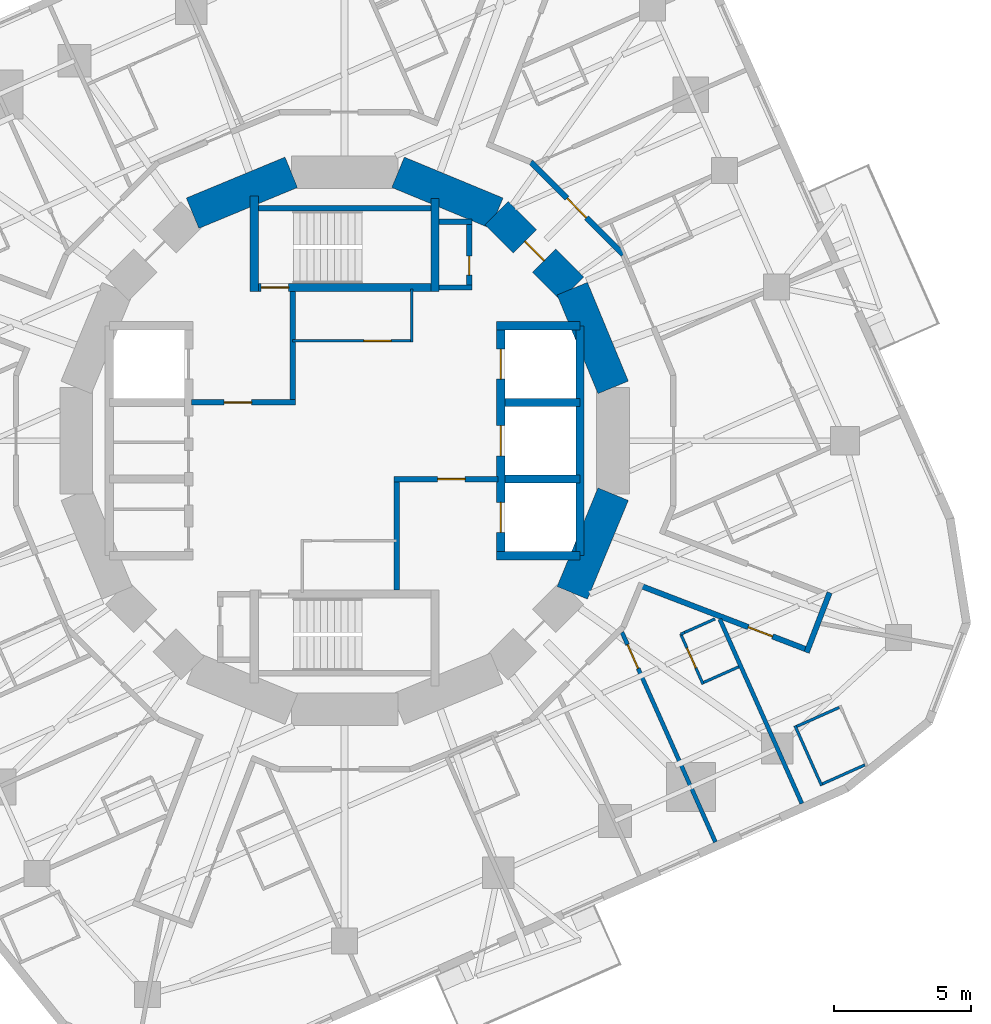
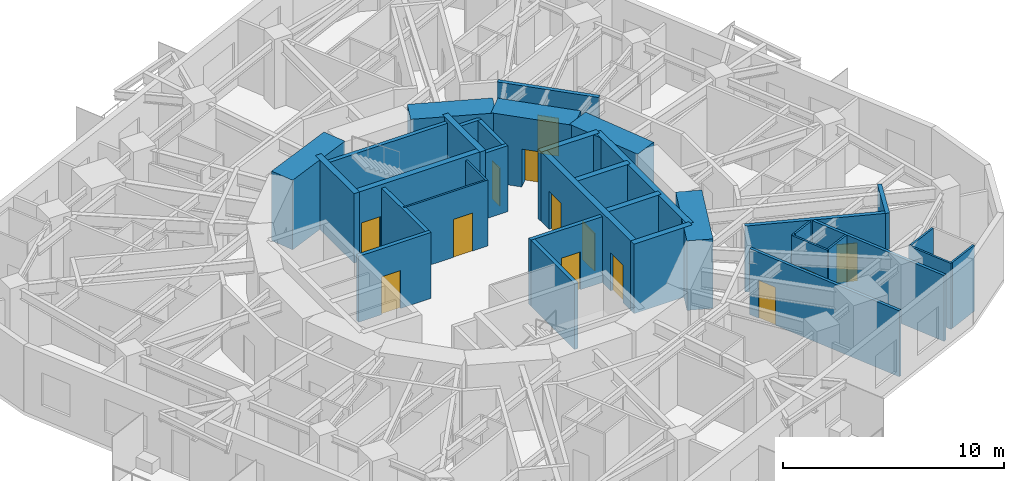
# One storey, part 7 of 12: 36 walls, 13 doors, 13 openings.
"""IFC4 building model written with IfcOpenShell, lengths in metres."""

from ifc_helpers import new_model, si_unit, direction, frame, frame_2d, origin, place, context, subcontext, project, spatial, rectangle, extrude, material, layer, layer_set, type_object, element, fill, save


model = new_model("IFC4")

# Units and contexts
model_context = context("Model", 3, precision=1e-05, world=origin(), true_north=direction((0.0, 1.0)))
body_context = subcontext(model_context, "Body", "Model", "MODEL_VIEW")
ifc_project = project(units=[si_unit("LENGTHUNIT", "METRE"), si_unit("AREAUNIT", "SQUARE_METRE"), si_unit("VOLUMEUNIT", "CUBIC_METRE"), si_unit("PLANEANGLEUNIT", "RADIAN"), si_unit("MASSUNIT", "GRAM", prefix="KILO")], contexts=[model_context])

# Site, building, storey
site_placement = place(None, origin())
site = spatial("IfcSite", under=ifc_project, at=site_placement, CompositionType="ELEMENT")
building_placement = place(site_placement, origin())
building = spatial("IfcBuilding", under=site, at=building_placement, Name="Nakasero Lantern House", CompositionType="ELEMENT")
storey_placement = place(building_placement, frame((0.0, 0.0, 209.39990234375)))
storey = spatial("IfcBuildingStorey", under=building, at=storey_placement, Name="L51", CompositionType="ELEMENT", Elevation=209.39990234375)

# Wall, openings, doors
ifc_material_1 = material(Name="Concrete C50/60", Category="concrete")
ifc_layer_1 = layer(ifc_material_1, 0.300048828125)
ifc_layer_set_1 = layer_set([ifc_layer_1], Name="Core inner wall 300")
wall_type_1 = type_object("IfcWallType", Name="Core inner wall 300", PredefinedType="SHEAR", material=ifc_layer_set_1)
wall_1_placement = place(storey_placement, frame((5.699951171875, -4.199951171875, 0.0), z_axis=(0.0, 0.0, 1.0), x_axis=(0.0, 1.0, 0.0)))
wall_1 = element("IfcWall", 1, at=wall_1_placement, inside=storey, type_object=wall_type_1, Name="Core inner wall L51 LE", PredefinedType="SHEAR", context=body_context, shape_type="SweptSolid", body=[
    extrude(rectangle(XDim=8.39990234375, YDim=0.300048828125, at=frame_2d((4.199951171875, 0.0))), origin(), (0.0, 0.0, 1.0), 3.85009765625),
])
opening_1_placement = place(wall_1_placement, frame((0.85009765625, 0.0, 0.0)))
opening_1 = element("IfcOpeningElement", 2, at=opening_1_placement, cuts=wall_1, Name="Opening LD", PredefinedType="OPENING", context=body_context, shape_type="SweptSolid", body=[
    extrude(rectangle(XDim=1.10009765625, YDim=2.10009765625, at=frame_2d((0.550048828125, 1.050048828125))), frame((0.0, 0.169921875, 0.0), z_axis=(0.0, -1.0, 0.0), x_axis=(1.0, 0.0, 0.0)), (0.0, 0.0, 1.0), 0.340087890625),
])
opening_2_placement = place(wall_1_placement, frame((3.64990234375, 0.0, 0.0)))
opening_2 = element("IfcOpeningElement", 3, at=opening_2_placement, cuts=wall_1, Name="Opening LD", PredefinedType="OPENING", context=body_context, shape_type="SweptSolid", body=[
    extrude(rectangle(XDim=1.10009765625, YDim=2.10009765625, at=frame_2d((0.550048828125, 1.050048828125))), frame((0.0, 0.169921875, 0.0), z_axis=(0.0, -1.0, 0.0), x_axis=(1.0, 0.0, 0.0)), (0.0, 0.0, 1.0), 0.340087890625),
])
opening_3_placement = place(wall_1_placement, frame((6.449951171875, 0.0, 0.0)))
opening_3 = element("IfcOpeningElement", 4, at=opening_3_placement, cuts=wall_1, Name="Opening LD", PredefinedType="OPENING", context=body_context, shape_type="SweptSolid", body=[
    extrude(rectangle(XDim=1.10009765625, YDim=2.10009765625, at=frame_2d((0.550048828125, 1.050048828125))), frame((0.0, 0.169921875, 0.0), z_axis=(0.0, -1.0, 0.0), x_axis=(1.0, 0.0, 0.0)), (0.0, 0.0, 1.0), 0.340087890625),
])
ifc_material_2 = material(Name="Steel S355", Category="steel")
door_type_1 = type_object("IfcDoorType", Name="Lift landing door E120 1100", OperationType="SLIDING_TO_LEFT", PredefinedType="DOOR", material=ifc_material_2)
door_1_placement = place(opening_1_placement, origin())
door_1 = element("IfcDoor", 5, at=door_1_placement, inside=storey, type_object=door_type_1, Name="Lift landing door LE1", OperationType="SLIDING_TO_LEFT", OverallHeight=2.10009765625, OverallWidth=1.10009765625, PredefinedType="DOOR", context=body_context, shape_type="SweptSolid", body=[
    extrude(rectangle(XDim=1.10009765625, YDim=2.10009765625, at=frame_2d((0.550048828125, 1.050048828125))), frame((0.0, 0.02490234375, 0.0), z_axis=(0.0, -1.0, 0.0), x_axis=(1.0, 0.0, 0.0)), (0.0, 0.0, 1.0), 0.050048828125),
])
fill(opening_1, door_1)
door_2_placement = place(opening_2_placement, origin())
door_2 = element("IfcDoor", 6, at=door_2_placement, inside=storey, type_object=door_type_1, Name="Lift landing door LE2", OperationType="SLIDING_TO_LEFT", OverallHeight=2.10009765625, OverallWidth=1.10009765625, PredefinedType="DOOR", context=body_context, shape_type="SweptSolid", body=[
    extrude(rectangle(XDim=1.10009765625, YDim=2.10009765625, at=frame_2d((0.550048828125, 1.050048828125))), frame((0.0, 0.02490234375, 0.0), z_axis=(0.0, -1.0, 0.0), x_axis=(1.0, 0.0, 0.0)), (0.0, 0.0, 1.0), 0.050048828125),
])
fill(opening_2, door_2)
door_3_placement = place(opening_3_placement, origin())
door_3 = element("IfcDoor", 7, at=door_3_placement, inside=storey, type_object=door_type_1, Name="Lift landing door LE3", OperationType="SLIDING_TO_LEFT", OverallHeight=2.10009765625, OverallWidth=1.10009765625, PredefinedType="DOOR", context=body_context, shape_type="SweptSolid", body=[
    extrude(rectangle(XDim=1.10009765625, YDim=2.10009765625, at=frame_2d((0.550048828125, 1.050048828125))), frame((0.0, 0.02490234375, 0.0), z_axis=(0.0, -1.0, 0.0), x_axis=(1.0, 0.0, 0.0)), (0.0, 0.0, 1.0), 0.050048828125),
])
fill(opening_3, door_3)

# Walls
for number, where, z_axis, x_axis, name in (
    (8, (5.550048828125, 4.199951171875, 0.0), (0.0, 0.0, 1.0), (1.0, 0.0, 0.0), "Core inner wall L51 LEN"),
    (9, (5.550048828125, -4.199951171875, 0.0), (0.0, 0.0, 1.0), (1.0, 0.0, 0.0), "Core inner wall L51 LES"),
):
    element("IfcWall", number, at=place(storey_placement, frame(where, z_axis=z_axis, x_axis=x_axis)), inside=storey, type_object=wall_type_1, Name=name, PredefinedType="SHEAR", context=body_context, shape_type="SweptSolid", body=[
        extrude(rectangle(XDim=3.050048828125, YDim=0.300048828125, at=frame_2d((1.52490234375, 0.0))), origin(), (0.0, 0.0, 1.0), 3.85009765625),
    ])
wall_2_placement = place(storey_placement, frame((8.60009765625, -4.199951171875, 0.0), z_axis=(0.0, 0.0, 1.0), x_axis=(0.0, 1.0, 0.0)))
element("IfcWall", 10, at=wall_2_placement, inside=storey, type_object=wall_type_1, Name="Core inner wall L51 LEB", PredefinedType="SHEAR", context=body_context, shape_type="SweptSolid", body=[
    extrude(rectangle(XDim=8.39990234375, YDim=0.300048828125, at=frame_2d((4.199951171875, 0.0))), origin(), (0.0, 0.0, 1.0), 3.85009765625),
])
for number, where, z_axis, x_axis, name in (
    (11, (5.85009765625, -1.39990234375, 0.0), (0.0, 0.0, 1.0), (1.0, 0.0, 0.0), "Core inner wall L51 LE1"),
    (12, (5.85009765625, 1.39990234375, 0.0), (0.0, 0.0, 1.0), (1.0, 0.0, 0.0), "Core inner wall L51 LE2"),
):
    element("IfcWall", number, at=place(storey_placement, frame(where, z_axis=z_axis, x_axis=x_axis)), inside=storey, type_object=wall_type_1, Name=name, PredefinedType="SHEAR", context=body_context, shape_type="SweptSolid", body=[
        extrude(rectangle(XDim=2.75, YDim=0.300048828125, at=frame_2d((1.375, 0.0))), origin(), (0.0, 0.0, 1.0), 3.85009765625),
    ])

# Wall, opening, door
wall_3_placement = place(storey_placement, frame((-3.449951171875, 5.60009765625, 0.0), z_axis=(0.0, 0.0, 1.0), x_axis=(1.0, 0.0, 0.0)))
wall_3 = element("IfcWall", 13, at=wall_3_placement, inside=storey, type_object=wall_type_1, Name="Core inner wall L51 SN", PredefinedType="SHEAR", context=body_context, shape_type="SweptSolid", body=[
    extrude(rectangle(XDim=6.89990234375, YDim=0.300048828125, at=frame_2d((3.449951171875, 0.0))), origin(), (0.0, 0.0, 1.0), 3.85009765625),
])
opening_4_placement = place(wall_3_placement, frame((0.39990234375, 0.0, 0.0)))
opening_4 = element("IfcOpeningElement", 14, at=opening_4_placement, cuts=wall_3, Name="Opening D05", PredefinedType="OPENING", context=body_context, shape_type="SweptSolid", body=[
    extrude(rectangle(XDim=1.0, YDim=2.10009765625, at=frame_2d((0.5, 1.050048828125))), frame((0.0, 0.169921875, 0.0), z_axis=(0.0, -1.0, 0.0), x_axis=(1.0, 0.0, 0.0)), (0.0, 0.0, 1.0), 0.340087890625),
])
ifc_material_3 = material(Name="Timber C24", Category="wood")
door_type_2 = type_object("IfcDoorType", Name="Core door FD60S 1000", OperationType="SINGLE_SWING_LEFT", PredefinedType="DOOR", material=ifc_material_3)
door_4_placement = place(opening_4_placement, origin())
door_4 = element("IfcDoor", 15, at=door_4_placement, inside=storey, type_object=door_type_2, Name="Door L51 D-ST1", OperationType="SINGLE_SWING_LEFT", OverallHeight=2.10009765625, OverallWidth=1.0, PredefinedType="DOOR", context=body_context, shape_type="SweptSolid", body=[
    extrude(rectangle(XDim=1.0, YDim=2.10009765625, at=frame_2d((0.5, 1.050048828125))), frame((0.0, 0.02490234375, 0.0), z_axis=(0.0, -1.0, 0.0), x_axis=(1.0, 0.0, 0.0)), (0.0, 0.0, 1.0), 0.050048828125),
])
fill(opening_4, door_4)

# Walls
wall_4_placement = place(storey_placement, frame((-3.300048828125, 5.449951171875, 0.0), z_axis=(0.0, 0.0, 1.0), x_axis=(0.0, 1.0, 0.0)))
element("IfcWall", 16, at=wall_4_placement, inside=storey, type_object=wall_type_1, Name="Core inner wall L51 SNW", PredefinedType="SHEAR", context=body_context, shape_type="SweptSolid", body=[
    extrude(rectangle(XDim=3.5, YDim=0.300048828125, at=frame_2d((1.75, 0.0))), origin(), (0.0, 0.0, 1.0), 3.85009765625),
])
wall_5_placement = place(storey_placement, frame((3.300048828125, 5.449951171875, 0.0), z_axis=(0.0, 0.0, 1.0), x_axis=(0.0, 1.0, 0.0)))
element("IfcWall", 17, at=wall_5_placement, inside=storey, type_object=wall_type_1, Name="Core inner wall L51 SNE", PredefinedType="SHEAR", context=body_context, shape_type="SweptSolid", body=[
    extrude(rectangle(XDim=3.400146484375, YDim=0.300048828125, at=frame_2d((1.7001953125, 0.0))), origin(), (0.0, 0.0, 1.0), 3.85009765625),
])

# Wall, opening, door
ifc_material_4 = material(Name="Blockwork", Category="masonry")
ifc_layer_2 = layer(ifc_material_4, 0.10009765625)
ifc_layer_set_2 = layer_set([ifc_layer_2], Name="Core room wall 100")
wall_type_2 = type_object("IfcWallType", Name="Core room wall 100", PredefinedType="PARTITIONING", material=ifc_layer_set_2)
wall_6_placement = place(storey_placement, frame((-1.89990234375, 3.64990234375, 0.0), z_axis=(0.0, 0.0, 1.0), x_axis=(1.0, 0.0, 0.0)))
wall_6 = element("IfcWall", 18, at=wall_6_placement, inside=storey, type_object=wall_type_2, Name="Core room wall L51 CR-NES", PredefinedType="PARTITIONING", context=body_context, shape_type="SweptSolid", body=[
    extrude(rectangle(XDim=4.39990234375, YDim=0.10009765625, at=frame_2d((2.199951171875, 0.0))), origin(), (0.0, 0.0, 1.0), 3.650146484375),
])
opening_5_placement = place(wall_6_placement, frame((2.60009765625, 0.0, 0.0)))
opening_5 = element("IfcOpeningElement", 19, at=opening_5_placement, cuts=wall_6, Name="Opening D07", PredefinedType="OPENING", context=body_context, shape_type="SweptSolid", body=[
    extrude(rectangle(XDim=1.0, YDim=2.10009765625, at=frame_2d((0.5, 1.050048828125))), frame((0.0, 0.070068359375, 0.0), z_axis=(0.0, -1.0, 0.0), x_axis=(1.0, 0.0, 0.0)), (0.0, 0.0, 1.0), 0.14013671875),
])
ifc_material_5 = material(Name="Timber C24", Category="wood")
door_type_3 = type_object("IfcDoorType", Name="Room door FD30S 1000", OperationType="SINGLE_SWING_LEFT", PredefinedType="DOOR", material=ifc_material_5)
door_5_placement = place(opening_5_placement, origin())
door_5 = element("IfcDoor", 20, at=door_5_placement, inside=storey, type_object=door_type_3, Name="Door L51 D-CR-NE", OperationType="SINGLE_SWING_RIGHT", OverallHeight=2.10009765625, OverallWidth=1.0, PredefinedType="DOOR", context=body_context, shape_type="SweptSolid", body=[
    extrude(rectangle(XDim=1.0, YDim=2.10009765625, at=frame_2d((0.5, 1.050048828125))), frame((0.0, 0.02490234375, 0.0), z_axis=(0.0, -1.0, 0.0), x_axis=(1.0, 0.0, 0.0)), (0.0, 0.0, 1.0), 0.050048828125),
])
fill(opening_5, door_5)

# Walls
wall_7_placement = place(storey_placement, frame((2.449951171875, 3.60009765625, 0.0), z_axis=(0.0, 0.0, 1.0), x_axis=(0.0, 1.0, 0.0)))
element("IfcWall", 21, at=wall_7_placement, inside=storey, type_object=wall_type_2, Name="Core room wall L51 CR-NEE", PredefinedType="PARTITIONING", context=body_context, shape_type="SweptSolid", body=[
    extrude(rectangle(XDim=1.949951171875, YDim=0.10009765625, at=frame_2d((0.97509765625, 0.0))), origin(), (0.0, 0.0, 1.0), 3.650146484375),
])
ifc_material_6 = material(Name="Concrete C50/60", Category="concrete")
ifc_layer_3 = layer(ifc_material_6, 1.199951171875)
ifc_layer_set_3 = layer_set([ifc_layer_3], Name="Core wall 1200")
wall_type_3 = type_object("IfcWallType", Name="Core wall 1200", PredefinedType="SHEAR", material=ifc_layer_set_3)
wall_8_placement = place(storey_placement, frame((9.807861328125, 1.950927734375, 0.0), z_axis=(0.0, 0.0, 1.0), x_axis=(-0.382690736062, 0.923876507187, 0.0)))
element("IfcWall", 22, at=wall_8_placement, inside=storey, type_object=wall_type_3, Name="Core wall L51 facet 1", PredefinedType="SHEAR", context=body_context, shape_type="SweptSolid", body=[
    extrude(rectangle(XDim=3.90185546875, YDim=1.199951171875, at=frame_2d((1.950927734375, 0.0))), origin(), (0.0, 0.0, 1.0), 3.85009765625),
])

# Wall, opening, door
wall_9_placement = place(storey_placement, frame((8.314697265625, 5.5556640625, 0.0), z_axis=(0.0, 0.0, 1.0), x_axis=(-0.707106781187, 0.707106781187, 0.0)))
wall_9 = element("IfcWall", 23, at=wall_9_placement, inside=storey, type_object=wall_type_3, Name="Core wall L51 facet 2", PredefinedType="SHEAR", context=body_context, shape_type="SweptSolid", body=[
    extrude(rectangle(XDim=3.90185546875, YDim=1.199951171875, at=frame_2d((1.950927734375, 0.0))), origin(), (0.0, 0.0, 1.0), 3.85009765625),
])
opening_6_placement = place(wall_9_placement, frame((1.450927734375, 0.0, 0.0)))
opening_6 = element("IfcOpeningElement", 24, at=opening_6_placement, cuts=wall_9, Name="Opening D05", PredefinedType="OPENING", context=body_context, shape_type="SweptSolid", body=[
    extrude(rectangle(XDim=1.0, YDim=2.10009765625, at=frame_2d((0.5, 1.050048828125))), frame((0.0, 0.619873046875, 0.0), z_axis=(0.0, -1.0, 0.0), x_axis=(1.0, 0.0, 0.0)), (0.0, 0.0, 1.0), 1.239990234375),
])
door_6_placement = place(opening_6_placement, origin())
door_6 = element("IfcDoor", 25, at=door_6_placement, inside=storey, type_object=door_type_2, Name="Door L51 D-CORE02", OperationType="SINGLE_SWING_LEFT", OverallHeight=2.10009765625, OverallWidth=1.0, PredefinedType="DOOR", context=body_context, shape_type="SweptSolid", body=[
    extrude(rectangle(XDim=1.0, YDim=2.10009765625, at=frame_2d((0.5, 1.050048828125))), frame((0.0, 0.02490234375, 0.0), z_axis=(0.0, -1.0, 0.0), x_axis=(1.0, 0.0, 0.0)), (0.0, 0.0, 1.0), 0.050048828125),
])
fill(opening_6, door_6)

# Walls
for number, where, z_axis, x_axis, name in (
    (26, (5.5556640625, 8.314697265625, 0.0), (0.0, 0.0, 1.0), (-0.923876507187, 0.382690736062, 0.0), "Core wall L51 facet 3"),
    (27, (-1.950927734375, 9.807861328125, 0.0), (0.0, 0.0, 1.0), (-0.923876507187, -0.382690736062, 0.0), "Core wall L51 facet 5"),
    (28, (8.314697265625, -5.5556640625, 0.0), (0.0, 0.0, 1.0), (0.382690736062, 0.923876507187, 0.0), "Core wall L51 facet 15"),
):
    element("IfcWall", number, at=place(storey_placement, frame(where, z_axis=z_axis, x_axis=x_axis)), inside=storey, type_object=wall_type_3, Name=name, PredefinedType="SHEAR", context=body_context, shape_type="SweptSolid", body=[
        extrude(rectangle(XDim=3.90185546875, YDim=1.199951171875, at=frame_2d((1.950927734375, 0.0))), origin(), (0.0, 0.0, 1.0), 3.85009765625),
    ])

# Wall, opening, door
ifc_material_7 = material(Name="Blockwork", Category="masonry")
ifc_layer_4 = layer(ifc_material_7, 0.199951171875)
ifc_layer_set_4 = layer_set([ifc_layer_4], Name="Corridor wall 200")
wall_type_4 = type_object("IfcWallType", Name="Corridor wall 200", PredefinedType="PARTITIONING", material=ifc_layer_set_4)
wall_10_placement = place(storey_placement, frame((6.802001953125, 10.1796875, 0.0), z_axis=(0.0, 0.0, 1.0), x_axis=(0.707106781187, -0.707106781187, 0.0)))
wall_10 = element("IfcWall", 29, at=wall_10_placement, inside=storey, type_object=wall_type_4, Name="Corridor wall L51 RC14a", PredefinedType="PARTITIONING", context=body_context, shape_type="SweptSolid", body=[
    extrude(rectangle(XDim=4.77685546875, YDim=0.199951171875, at=frame_2d((2.388427734375, 0.0))), origin(), (0.0, 0.0, 1.0), 3.650146484375),
])
opening_7_placement = place(wall_10_placement, frame((1.8701171875, 0.0, 0.0)))
opening_7 = element("IfcOpeningElement", 30, at=opening_7_placement, cuts=wall_10, Name="Opening D14", PredefinedType="OPENING", context=body_context, shape_type="SweptSolid", body=[
    extrude(rectangle(XDim=1.0, YDim=2.10009765625, at=frame_2d((0.5, 1.050048828125))), frame((0.0, 0.119873046875, 0.0), z_axis=(0.0, -1.0, 0.0), x_axis=(1.0, 0.0, 0.0)), (0.0, 0.0, 1.0), 0.239990234375),
])
ifc_material_8 = material(Name="Timber C24", Category="wood")
door_type_4 = type_object("IfcDoorType", Name="Cluster entrance door FD30S 1000", OperationType="SINGLE_SWING_LEFT", PredefinedType="DOOR", material=ifc_material_8)
door_7_placement = place(opening_7_placement, origin())
door_7 = element("IfcDoor", 31, at=door_7_placement, inside=storey, type_object=door_type_4, Name="Door L51 D0-04", OperationType="SINGLE_SWING_LEFT", OverallHeight=2.10009765625, OverallWidth=1.0, PredefinedType="DOOR", context=body_context, shape_type="SweptSolid", body=[
    extrude(rectangle(XDim=1.0, YDim=2.10009765625, at=frame_2d((0.5, 1.050048828125))), frame((0.0, 0.02490234375, 0.0), z_axis=(0.0, -1.0, 0.0), x_axis=(1.0, 0.0, 0.0)), (0.0, 0.0, 1.0), 0.050048828125),
])
fill(opening_7, door_7)

wall_11_placement = place(storey_placement, frame((10.804443359375, -5.293701171875, 0.0), z_axis=(0.0, 0.0, 1.0), x_axis=(0.933585954752, -0.358353547616, 0.0)))
wall_11 = element("IfcWall", 32, at=wall_11_placement, inside=storey, type_object=wall_type_4, Name="Corridor wall L51 SP3a", PredefinedType="PARTITIONING", context=body_context, shape_type="SweptSolid", body=[
    extrude(rectangle(XDim=6.643798828125, YDim=0.199951171875, at=frame_2d((3.32177734375, 0.0))), origin(), (0.0, 0.0, 1.0), 3.650146484375),
])
opening_8_placement = place(wall_11_placement, frame((4.219970703125, 0.0, 0.0)))
opening_8 = element("IfcOpeningElement", 33, at=opening_8_placement, cuts=wall_11, Name="Opening D01", PredefinedType="OPENING", context=body_context, shape_type="SweptSolid", body=[
    extrude(rectangle(XDim=0.949951171875, YDim=2.10009765625, at=frame_2d((0.47509765625, 1.050048828125))), frame((0.0, 0.119873046875, 0.0), z_axis=(0.0, -1.0, 0.0), x_axis=(1.0, 0.0, 0.0)), (0.0, 0.0, 1.0), 0.239990234375),
])
ifc_material_9 = material(Name="Timber C24", Category="wood")
door_type_5 = type_object("IfcDoorType", Name="Bedroom door FD30S 950", OperationType="SINGLE_SWING_LEFT", PredefinedType="DOOR", material=ifc_material_9)
door_8_placement = place(opening_8_placement, origin())
door_8 = element("IfcDoor", 34, at=door_8_placement, inside=storey, type_object=door_type_5, Name="Door L51 D3-06", OperationType="SINGLE_SWING_RIGHT", OverallHeight=2.10009765625, OverallWidth=0.949951171875, PredefinedType="DOOR", context=body_context, shape_type="SweptSolid", body=[
    extrude(rectangle(XDim=0.949951171875, YDim=2.10009765625, at=frame_2d((0.47509765625, 1.050048828125))), frame((0.0, 0.02490234375, 0.0), z_axis=(0.0, -1.0, 0.0), x_axis=(1.0, 0.0, 0.0)), (0.0, 0.0, 1.0), 0.050048828125),
])
fill(opening_8, door_8)

# Wall
wall_12_placement = place(storey_placement, frame((16.8779296875, -7.73193359375, 0.0), z_axis=(0.0, 0.0, 1.0), x_axis=(0.35838473722, 0.933573982139, 0.0)))
element("IfcWall", 35, at=wall_12_placement, inside=storey, type_object=wall_type_4, Name="Corridor wall L51 SP3e", PredefinedType="PARTITIONING", context=body_context, shape_type="SweptSolid", body=[
    extrude(rectangle(XDim=2.340087890625, YDim=0.199951171875, at=frame_2d((1.169921875, 0.0))), origin(), (0.0, 0.0, 1.0), 3.650146484375),
])

# Wall, opening, door
ifc_material_10 = material(Name="Blockwork", Category="masonry")
ifc_layer_5 = layer(ifc_material_10, 0.10009765625)
ifc_layer_set_5 = layer_set([ifc_layer_5], Name="En-suite wall 100")
wall_type_5 = type_object("IfcWallType", Name="En-suite wall 100", PredefinedType="PARTITIONING", material=ifc_layer_set_5)
wall_13_placement = place(storey_placement, frame((12.280029296875, -7.0654296875, 0.0), z_axis=(0.0, 0.0, 1.0), x_axis=(0.406772684097, -0.913529410294, 0.0)))
wall_13 = element("IfcWall", 36, at=wall_13_placement, inside=storey, type_object=wall_type_5, Name="En-suite wall L51 ES3-05", PredefinedType="PARTITIONING", context=body_context, shape_type="SweptSolid", body=[
    extrude(rectangle(XDim=1.999755859375, YDim=0.10009765625, at=frame_2d((1.0, 0.0))), origin(), (0.0, 0.0, 1.0), 3.650146484375),
])
opening_9_placement = place(wall_13_placement, frame((0.550048828125, 0.0, 0.0)))
opening_9 = element("IfcOpeningElement", 37, at=opening_9_placement, cuts=wall_13, Name="Opening D02", PredefinedType="OPENING", context=body_context, shape_type="SweptSolid", body=[
    extrude(rectangle(XDim=0.800048828125, YDim=2.10009765625, at=frame_2d((0.39990234375, 1.050048828125))), frame((0.0, 0.070068359375, 0.0), z_axis=(0.0, -1.0, 0.0), x_axis=(1.0, 0.0, 0.0)), (0.0, 0.0, 1.0), 0.14013671875),
])
ifc_material_11 = material(Name="Timber C24", Category="wood")
door_type_6 = type_object("IfcDoorType", Name="En-suite door 800", OperationType="SINGLE_SWING_RIGHT", PredefinedType="DOOR", material=ifc_material_11)
door_9_placement = place(opening_9_placement, origin())
door_9 = element("IfcDoor", 38, at=door_9_placement, inside=storey, type_object=door_type_6, Name="Door L51 DE3-05", OperationType="SINGLE_SWING_LEFT", OverallHeight=2.10009765625, OverallWidth=0.800048828125, PredefinedType="DOOR", context=body_context, shape_type="SweptSolid", body=[
    extrude(rectangle(XDim=0.800048828125, YDim=2.10009765625, at=frame_2d((0.39990234375, 1.050048828125))), frame((0.0, 0.02490234375, 0.0), z_axis=(0.0, -1.0, 0.0), x_axis=(1.0, 0.0, 0.0)), (0.0, 0.0, 1.0), 0.050048828125),
])
fill(opening_9, door_9)

# Walls
wall_14_placement = place(storey_placement, frame((13.118896484375, -8.826416015625, 0.0), z_axis=(0.0, 0.0, 1.0), x_axis=(0.91358129113, 0.406656150203, 0.0)))
element("IfcWall", 39, at=wall_14_placement, inside=storey, type_object=wall_type_5, Name="En-suite wall L51 EE3-05", PredefinedType="PARTITIONING", context=body_context, shape_type="SweptSolid", body=[
    extrude(rectangle(XDim=1.400146484375, YDim=0.10009765625, at=frame_2d((0.7001953125, 0.0))), origin(), (0.0, 0.0, 1.0), 3.650146484375),
])
wall_15_placement = place(storey_placement, frame((16.4501953125, -10.408203125, 0.0), z_axis=(0.0, 0.0, 1.0), x_axis=(0.406808500233, -0.913513461389, 0.0)))
element("IfcWall", 40, at=wall_15_placement, inside=storey, type_object=wall_type_5, Name="En-suite wall L51 EV3-06", PredefinedType="PARTITIONING", context=body_context, shape_type="SweptSolid", body=[
    extrude(rectangle(XDim=2.39990234375, YDim=0.10009765625, at=frame_2d((1.199951171875, 0.0))), origin(), (0.0, 0.0, 1.0), 3.650146484375),
])
wall_16_placement = place(storey_placement, frame((17.45166015625, -12.53466796875, 0.0), z_axis=(0.0, 0.0, 1.0), x_axis=(0.91357452948, 0.406671340378, 0.0)))
element("IfcWall", 41, at=wall_16_placement, inside=storey, type_object=wall_type_5, Name="En-suite wall L51 EE3-06", PredefinedType="PARTITIONING", context=body_context, shape_type="SweptSolid", body=[
    extrude(rectangle(XDim=1.7001953125, YDim=0.10009765625, at=frame_2d((0.85009765625, 0.0))), origin(), (0.0, 0.0, 1.0), 3.650146484375),
])
wall_17_placement = place(storey_placement, frame((16.516357421875, -10.43359375, 0.0), z_axis=(0.0, 0.0, 1.0), x_axis=(0.913550776237, 0.406724697108, 0.0)))
element("IfcWall", 42, at=wall_17_placement, inside=storey, type_object=wall_type_5, Name="En-suite wall L51 EI3-06", PredefinedType="PARTITIONING", context=body_context, shape_type="SweptSolid", body=[
    extrude(rectangle(XDim=1.699951171875, YDim=0.10009765625, at=frame_2d((0.85009765625, 0.0))), origin(), (0.0, 0.0, 1.0), 3.650146484375),
])
wall_18_placement = place(storey_placement, frame((13.527099609375, -6.510009765625, 0.0), z_axis=(0.0, 0.0, 1.0), x_axis=(-0.913510535277, -0.406815070933, 0.0)))
element("IfcWall", 43, at=wall_18_placement, inside=storey, type_object=wall_type_5, Name="En-suite wall L51 EX003", PredefinedType="PARTITIONING", context=body_context, shape_type="SweptSolid", body=[
    extrude(rectangle(XDim=1.205078125, YDim=0.10009765625, at=frame_2d((0.6025390625, 0.0))), origin(), (0.0, 0.0, 1.0), 3.650146484375),
])
wall_19_placement = place(storey_placement, frame((12.280029296875, -7.0654296875, 0.0), z_axis=(0.0, 0.0, 1.0), x_axis=(0.913370855971, 0.407128578538, 0.0)))
element("IfcWall", 44, at=wall_19_placement, inside=storey, type_object=wall_type_5, Name="En-suite wall L51 ES3-05R0", PredefinedType="PARTITIONING", context=body_context, shape_type="SweptSolid", body=[
    extrude(rectangle(XDim=0.16015625, YDim=0.10009765625, at=frame_2d((0.080078125, 0.0))), origin(), (0.0, 0.0, 1.0), 3.650146484375),
])

# Wall, opening, door
ifc_material_12 = material(Name="Blockwork", Category="masonry")
ifc_layer_6 = layer(ifc_material_12, 0.199951171875)
ifc_layer_set_6 = layer_set([ifc_layer_6], Name="Fire lobby wall 200")
wall_type_6 = type_object("IfcWallType", Name="Fire lobby wall 200", PredefinedType="PARTITIONING", material=ifc_layer_set_6)
wall_20_placement = place(storey_placement, frame((-5.60009765625, 1.39990234375, 0.0), z_axis=(0.0, 0.0, 1.0), x_axis=(1.0, 0.0, 0.0)))
wall_20 = element("IfcWall", 45, at=wall_20_placement, inside=storey, type_object=wall_type_6, Name="Fire lobby wall L51 W-FL1S", PredefinedType="PARTITIONING", context=body_context, shape_type="SweptSolid", body=[
    extrude(rectangle(XDim=3.800048828125, YDim=0.199951171875, at=frame_2d((1.89990234375, 0.0))), origin(), (0.0, 0.0, 1.0), 3.650146484375),
])
opening_10_placement = place(wall_20_placement, frame((1.199951171875, 0.0, 0.0)))
opening_10 = element("IfcOpeningElement", 46, at=opening_10_placement, cuts=wall_20, Name="Opening D05", PredefinedType="OPENING", context=body_context, shape_type="SweptSolid", body=[
    extrude(rectangle(XDim=1.0, YDim=2.10009765625, at=frame_2d((0.5, 1.050048828125))), frame((0.0, 0.119873046875, 0.0), z_axis=(0.0, -1.0, 0.0), x_axis=(1.0, 0.0, 0.0)), (0.0, 0.0, 1.0), 0.239990234375),
])
door_10_placement = place(opening_10_placement, origin())
door_10 = element("IfcDoor", 47, at=door_10_placement, inside=storey, type_object=door_type_2, Name="Door L51 D-FL1", OperationType="SINGLE_SWING_LEFT", OverallHeight=2.10009765625, OverallWidth=1.0, PredefinedType="DOOR", context=body_context, shape_type="SweptSolid", body=[
    extrude(rectangle(XDim=1.0, YDim=2.10009765625, at=frame_2d((0.5, 1.050048828125))), frame((0.0, 0.02490234375, 0.0), z_axis=(0.0, -1.0, 0.0), x_axis=(1.0, 0.0, 0.0)), (0.0, 0.0, 1.0), 0.050048828125),
])
fill(opening_10, door_10)

# Wall
wall_21_placement = place(storey_placement, frame((-1.89990234375, 1.5, 0.0), z_axis=(0.0, 0.0, 1.0), x_axis=(0.0, 1.0, 0.0)))
element("IfcWall", 48, at=wall_21_placement, inside=storey, type_object=wall_type_6, Name="Fire lobby wall L51 W-FL1E", PredefinedType="PARTITIONING", context=body_context, shape_type="SweptSolid", body=[
    extrude(rectangle(XDim=3.949951171875, YDim=0.199951171875, at=frame_2d((1.97509765625, 0.0))), origin(), (0.0, 0.0, 1.0), 3.650146484375),
])

# Wall, opening, door
wall_22_placement = place(storey_placement, frame((5.60009765625, -1.39990234375, 0.0), z_axis=(0.0, 0.0, 1.0), x_axis=(-1.0, 0.0, 0.0)))
wall_22 = element("IfcWall", 49, at=wall_22_placement, inside=storey, type_object=wall_type_6, Name="Fire lobby wall L51 W-FL2N", PredefinedType="PARTITIONING", context=body_context, shape_type="SweptSolid", body=[
    extrude(rectangle(XDim=3.800048828125, YDim=0.199951171875, at=frame_2d((1.89990234375, 0.0))), origin(), (0.0, 0.0, 1.0), 3.650146484375),
])
opening_11_placement = place(wall_22_placement, frame((1.199951171875, 0.0, 0.0)))
opening_11 = element("IfcOpeningElement", 50, at=opening_11_placement, cuts=wall_22, Name="Opening D05", PredefinedType="OPENING", context=body_context, shape_type="SweptSolid", body=[
    extrude(rectangle(XDim=1.0, YDim=2.10009765625, at=frame_2d((0.5, 1.050048828125))), frame((0.0, 0.119873046875, 0.0), z_axis=(0.0, -1.0, 0.0), x_axis=(1.0, 0.0, 0.0)), (0.0, 0.0, 1.0), 0.239990234375),
])
door_11_placement = place(opening_11_placement, origin())
door_11 = element("IfcDoor", 51, at=door_11_placement, inside=storey, type_object=door_type_2, Name="Door L51 D-FL2", OperationType="SINGLE_SWING_LEFT", OverallHeight=2.10009765625, OverallWidth=1.0, PredefinedType="DOOR", context=body_context, shape_type="SweptSolid", body=[
    extrude(rectangle(XDim=1.0, YDim=2.10009765625, at=frame_2d((0.5, 1.050048828125))), frame((0.0, 0.02490234375, 0.0), z_axis=(0.0, -1.0, 0.0), x_axis=(1.0, 0.0, 0.0)), (0.0, 0.0, 1.0), 0.050048828125),
])
fill(opening_11, door_11)

# Wall
wall_23_placement = place(storey_placement, frame((1.89990234375, -1.5, 0.0), z_axis=(0.0, 0.0, 1.0), x_axis=(0.0, -1.0, 0.0)))
element("IfcWall", 52, at=wall_23_placement, inside=storey, type_object=wall_type_6, Name="Fire lobby wall L51 W-FL2W", PredefinedType="PARTITIONING", context=body_context, shape_type="SweptSolid", body=[
    extrude(rectangle(XDim=3.949951171875, YDim=0.199951171875, at=frame_2d((1.97509765625, 0.0))), origin(), (0.0, 0.0, 1.0), 3.650146484375),
])

# Wall, opening, door
wall_24_placement = place(storey_placement, frame((4.550048828125, 5.60009765625, 0.0), z_axis=(0.0, 0.0, 1.0), x_axis=(0.0, 1.0, 0.0)))
wall_24 = element("IfcWall", 53, at=wall_24_placement, inside=storey, type_object=wall_type_6, Name="Fire lobby wall L51 W-RS1E", PredefinedType="PARTITIONING", context=body_context, shape_type="SweptSolid", body=[
    extrude(rectangle(XDim=2.39990234375, YDim=0.199951171875, at=frame_2d((1.199951171875, 0.0))), origin(), (0.0, 0.0, 1.0), 3.650146484375),
])
opening_12_placement = place(wall_24_placement, frame((0.449951171875, 0.0, 0.0)))
opening_12 = element("IfcOpeningElement", 54, at=opening_12_placement, cuts=wall_24, Name="Opening D06", PredefinedType="OPENING", context=body_context, shape_type="SweptSolid", body=[
    extrude(rectangle(XDim=0.699951171875, YDim=2.10009765625, at=frame_2d((0.35009765625, 1.050048828125))), frame((0.0, 0.119873046875, 0.0), z_axis=(0.0, -1.0, 0.0), x_axis=(1.0, 0.0, 0.0)), (0.0, 0.0, 1.0), 0.239990234375),
])
ifc_material_13 = material(Name="Steel S355", Category="steel")
door_type_7 = type_object("IfcDoorType", Name="Riser door FD60 700", OperationType="SINGLE_SWING_LEFT", PredefinedType="DOOR", material=ifc_material_13)
door_12_placement = place(opening_12_placement, origin())
door_12 = element("IfcDoor", 55, at=door_12_placement, inside=storey, type_object=door_type_7, Name="Door L51 D-RS1", OperationType="SINGLE_SWING_LEFT", OverallHeight=2.10009765625, OverallWidth=0.699951171875, PredefinedType="DOOR", context=body_context, shape_type="SweptSolid", body=[
    extrude(rectangle(XDim=0.699951171875, YDim=2.10009765625, at=frame_2d((0.35009765625, 1.050048828125))), frame((0.0, 0.02490234375, 0.0), z_axis=(0.0, -1.0, 0.0), x_axis=(1.0, 0.0, 0.0)), (0.0, 0.0, 1.0), 0.050048828125),
])
fill(opening_12, door_12)

# Walls
for number, where, z_axis, x_axis, name in (
    (56, (3.449951171875, 8.0, 0.0), (0.0, 0.0, 1.0), (1.0, 0.0, 0.0), "Fire lobby wall L51 W-RS1N"),
    (57, (3.449951171875, 5.60009765625, 0.0), (0.0, 0.0, 1.0), (1.0, 0.0, 0.0), "Fire lobby wall L51 W-RS1S"),
):
    element("IfcWall", number, at=place(storey_placement, frame(where, z_axis=z_axis, x_axis=x_axis)), inside=storey, type_object=wall_type_6, Name=name, PredefinedType="PARTITIONING", context=body_context, shape_type="SweptSolid", body=[
        extrude(rectangle(XDim=1.199951171875, YDim=0.199951171875, at=frame_2d((0.60009765625, 0.0))), origin(), (0.0, 0.0, 1.0), 3.650146484375),
    ])
wall_25_placement = place(storey_placement, frame((-3.300048828125, 8.5, 0.0), z_axis=(0.0, 0.0, 1.0), x_axis=(1.0, 0.0, 0.0)))
element("IfcWall", 58, at=wall_25_placement, inside=storey, type_object=wall_type_6, Name="Fire lobby wall L51 W-STN", PredefinedType="PARTITIONING", context=body_context, shape_type="SweptSolid", body=[
    extrude(rectangle(XDim=6.60009765625, YDim=0.199951171875, at=frame_2d((3.300048828125, 0.0))), origin(), (0.0, 0.0, 1.0), 3.650146484375),
])

# Wall, opening, door
ifc_material_14 = material(Name="Blockwork", Category="masonry")
ifc_layer_7 = layer(ifc_material_14, 0.14990234375)
ifc_layer_set_7 = layer_set([ifc_layer_7], Name="Party wall 150")
wall_type_7 = type_object("IfcWallType", Name="Party wall 150", PredefinedType="PARTITIONING", material=ifc_layer_set_7)
wall_26_placement = place(storey_placement, frame((10.130615234375, -6.99267578125, 0.0), z_axis=(0.0, 0.0, 1.0), x_axis=(0.406732255089, -0.913547411288, 0.0)))
wall_26 = element("IfcWall", 59, at=wall_26_placement, inside=storey, type_object=wall_type_7, Name="Party wall L51 PW3-05", PredefinedType="PARTITIONING", context=body_context, shape_type="SweptSolid", body=[
    extrude(rectangle(XDim=8.3916015625, YDim=0.14990234375, at=frame_2d((4.19580078125, 0.0))), origin(), (0.0, 0.0, 1.0), 3.650146484375),
])
opening_13_placement = place(wall_26_placement, frame((0.5, 0.0, 0.0)))
opening_13 = element("IfcOpeningElement", 60, at=opening_13_placement, cuts=wall_26, Name="Opening D01", PredefinedType="OPENING", context=body_context, shape_type="SweptSolid", body=[
    extrude(rectangle(XDim=0.949951171875, YDim=2.10009765625, at=frame_2d((0.47509765625, 1.050048828125))), frame((0.0, 0.094970703125, 0.0), z_axis=(0.0, -1.0, 0.0), x_axis=(1.0, 0.0, 0.0)), (0.0, 0.0, 1.0), 0.18994140625),
])
door_13_placement = place(opening_13_placement, origin())
door_13 = element("IfcDoor", 61, at=door_13_placement, inside=storey, type_object=door_type_5, Name="Door L51 DS3-05", OperationType="SINGLE_SWING_LEFT", OverallHeight=2.10009765625, OverallWidth=0.949951171875, PredefinedType="DOOR", context=body_context, shape_type="SweptSolid", body=[
    extrude(rectangle(XDim=0.949951171875, YDim=2.10009765625, at=frame_2d((0.47509765625, 1.050048828125))), frame((0.0, 0.02490234375, 0.0), z_axis=(0.0, -1.0, 0.0), x_axis=(1.0, 0.0, 0.0)), (0.0, 0.0, 1.0), 0.050048828125),
])
fill(opening_13, door_13)

# Wall
wall_27_placement = place(storey_placement, frame((13.70361328125, -6.513671875, 0.0), z_axis=(0.0, 0.0, 1.0), x_axis=(0.406740331351, -0.913543815508, 0.0)))
element("IfcWall", 62, at=wall_27_placement, inside=storey, type_object=wall_type_7, Name="Party wall L51 PW3-06", PredefinedType="PARTITIONING", context=body_context, shape_type="SweptSolid", body=[
    extrude(rectangle(XDim=7.375732421875, YDim=0.14990234375, at=frame_2d((3.68798828125, 0.0))), origin(), (0.0, 0.0, 1.0), 3.650146484375),
])

save(model, "model.ifc")
